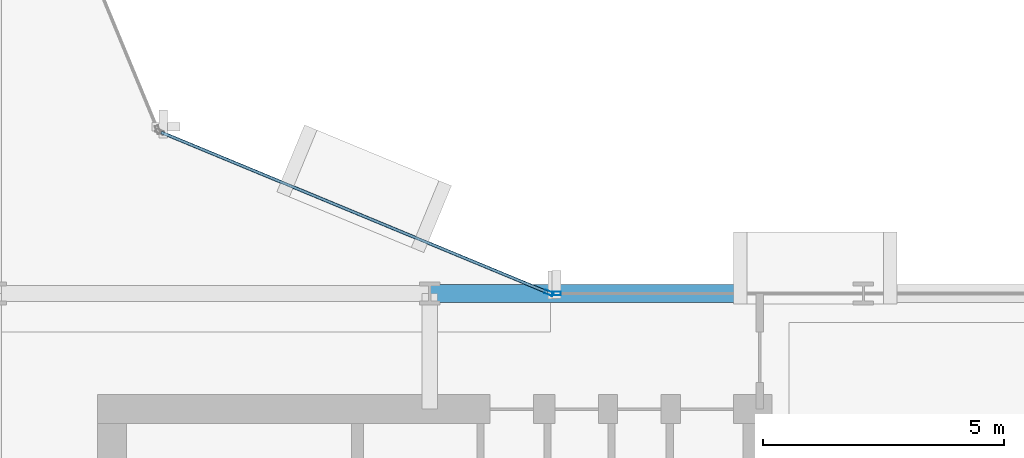
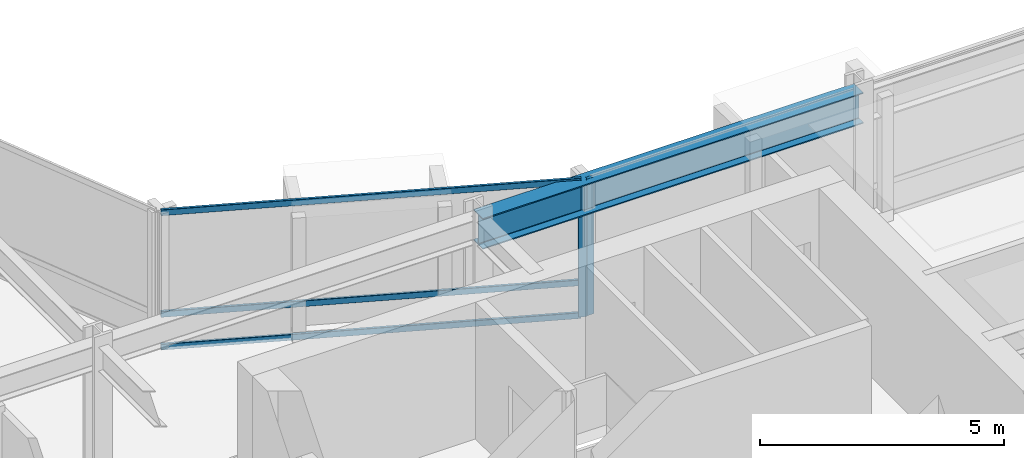
# One storey, part 15 of 34: 5 members, 1 beam, 2 elements without a shape of their own.
"""IFC4 building model written with IfcOpenShell, lengths in metres."""

from ifc_helpers import new_model, si_unit, direction, frame, origin, origin_2d, place, context, subcontext, project, spatial, hollow_rectangle, i_section, extrude, material, layer, layer_set, material_profile, profile_set, type_object, element, aggregate, save


model = new_model("IFC4")

# Units and contexts
model_context = context("Model", 3, precision=1e-05, world=origin(), true_north=direction((0.0, 1.0)))
body_context = subcontext(model_context, "Body", "Model", "MODEL_VIEW")
ifc_project = project(units=[si_unit("LENGTHUNIT", "METRE"), si_unit("AREAUNIT", "SQUARE_METRE"), si_unit("VOLUMEUNIT", "CUBIC_METRE"), si_unit("PLANEANGLEUNIT", "RADIAN"), si_unit("MASSUNIT", "GRAM", prefix="KILO")], contexts=[model_context])

# Site, building, storey
site_placement = place(None, origin())
site = spatial("IfcSite", under=ifc_project, at=site_placement, CompositionType="ELEMENT")
building_placement = place(site_placement, origin())
building = spatial("IfcBuilding", under=site, at=building_placement, Name="Solvaryn Broadcast Tower", CompositionType="ELEMENT")
storey_placement = place(building_placement, frame((0.0, 0.0, 69.300048828125)))
storey = spatial("IfcBuildingStorey", under=building, at=storey_placement, Name="L16", CompositionType="ELEMENT", Elevation=69.300048828125)

# Beam
ifc_material_1 = material(Name="Steel ASTM A992 Grade 50", Category="steel")
ifc_material_profile_1 = material_profile(ifc_material_1, i_section(OverallWidth=0.381103515625, OverallDepth=0.77294921875, WebThickness=0.0166015625, FlangeThickness=0.027099609375, FilletRadius=0.01806640625, at=origin_2d()))
ifc_profile_set_1 = profile_set([ifc_material_profile_1], Name="Steel ASTM A992 Grade 50")
beam_type = type_object("IfcBeamType", Name="BM-SP1-W30X173", PredefinedType="USERDEFINED", material=ifc_profile_set_1)
beam_placement = place(storey_placement, frame((36.0, 27.0, 3.033447265625), z_axis=(1.0, 0.0, 0.0), x_axis=(0.0, 1.0, 0.0)))
element("IfcBeam", 1, at=beam_placement, inside=storey, type_object=beam_type, Name="L16 Spandrel Beam X (36-45 @ Y=27)", ObjectType="SPANDREL", PredefinedType="USERDEFINED", context=body_context, shape_type="SweptSolid", body=[
    extrude(i_section(OverallWidth=0.381103515625, OverallDepth=0.77294921875, WebThickness=0.0166015625, FlangeThickness=0.027099609375, FilletRadius=0.01806640625, at=origin_2d()), origin(), (0.0, 0.0, 1.0), 9.0),
])

# Curtain wall, member
ifc_material_2 = material(Name="Aluminium and Terracotta Unitised Curtain Wall", Category="masonry")
ifc_layer = layer(ifc_material_2, 0.199951171875)
ifc_layer_set = layer_set([ifc_layer], Name="CW-SYS2-LOWMID")
curtain_wall_type = type_object("IfcCurtainWallType", Name="CW-SYS2-LOWMID", PredefinedType="NOTDEFINED", material=ifc_layer_set)
curtain_wall_1_placement = place(storey_placement, origin())
curtain_wall_1 = element("IfcCurtainWall", 2, at=curtain_wall_1_placement, inside=storey, type_object=curtain_wall_type, Name="L16 Curtain Wall CN1", PredefinedType="NOTDEFINED")
ifc_material_3 = material(Name="Anodised Aluminium 6063-T6", Category="aluminium")
ifc_material_profile_2 = material_profile(ifc_material_3, hollow_rectangle(XDim=0.074951171875, YDim=0.179931640625, WallThickness=0.00390625, InnerFilletRadius=0.00390625, OuterFilletRadius=0.008056640625, at=origin_2d()))
ifc_profile_set_2 = profile_set([ifc_material_profile_2], Name="Anodised Aluminium 6063-T6")
member_type_1 = type_object("IfcMemberType", Name="CW-MUL-180", PredefinedType="MULLION", material=ifc_profile_set_2)
member_1_placement = place(storey_placement, frame((38.47216796875, 27.011474609375, 0.0), z_axis=(0.0, 0.0, 1.0), x_axis=(-0.382646127145, -0.923894983957, 0.0)))
member_1 = element("IfcMember", 3, at=member_1_placement, type_object=member_type_1, Name="CWS2 mullion 1", PredefinedType="MULLION", context=body_context, shape_type="SweptSolid", body=[
    extrude(hollow_rectangle(XDim=0.074951171875, YDim=0.179931640625, WallThickness=0.00390625, InnerFilletRadius=0.00390625, OuterFilletRadius=0.008056640625, at=origin_2d()), origin(), (0.0, 0.0, 1.0), 3.419921875),
])

curtain_wall_2_placement = place(storey_placement, origin())
curtain_wall_2 = element("IfcCurtainWall", 4, at=curtain_wall_2_placement, inside=storey, type_object=curtain_wall_type, Name="L16 Curtain Wall IH", PredefinedType="NOTDEFINED")
member_2_placement = place(storey_placement, frame((38.6298828125, 27.0, 0.0), z_axis=(0.0, 0.0, 1.0), x_axis=(0.0, 1.0, 0.0)))
member_2 = element("IfcMember", 5, at=member_2_placement, type_object=member_type_1, Name="CWS2 mullion 1", PredefinedType="MULLION", context=body_context, shape_type="SweptSolid", body=[
    extrude(hollow_rectangle(XDim=0.074951171875, YDim=0.179931640625, WallThickness=0.00390625, InnerFilletRadius=0.00390625, OuterFilletRadius=0.008056640625, at=origin_2d()), origin(), (0.0, 0.0, 1.0), 3.419921875),
])
aggregate(curtain_wall_2, [member_2])

# Member
ifc_material_4 = material(Name="Anodised Aluminium 6063-T6", Category="aluminium")
ifc_material_profile_3 = material_profile(ifc_material_4, hollow_rectangle(XDim=0.06494140625, YDim=0.14990234375, WallThickness=0.00390625, InnerFilletRadius=0.00390625, OuterFilletRadius=0.008056640625, at=origin_2d()))
ifc_profile_set_3 = profile_set([ifc_material_profile_3], Name="Anodised Aluminium 6063-T6")
member_type_2 = type_object("IfcMemberType", Name="CW-TRN-150", PredefinedType="USERDEFINED", material=ifc_profile_set_3)
member_3_placement = place(storey_placement, frame((38.444580078125, 27.02294921875, 0.030029296875), z_axis=(-0.923899282177, 0.382635748975, 0.0), x_axis=(-0.382635748975, -0.923899282177, 0.0)))
member_3 = element("IfcMember", 6, at=member_3_placement, type_object=member_type_2, Name="CWS2 transom 1.1", ObjectType="TRANSOM", PredefinedType="USERDEFINED", context=body_context, shape_type="SweptSolid", body=[
    extrude(hollow_rectangle(XDim=0.06494140625, YDim=0.14990234375, WallThickness=0.00390625, InnerFilletRadius=0.00390625, OuterFilletRadius=0.008056640625, at=origin_2d()), origin(), (0.0, 0.0, 1.0), 8.681884765625),
])

member_4_placement = place(storey_placement, frame((38.444580078125, 27.02294921875, 0.849853515625), z_axis=(-0.923899282177, 0.382635748975, 0.0), x_axis=(-0.382635748975, -0.923899282177, 0.0)))
member_4 = element("IfcMember", 7, at=member_4_placement, type_object=member_type_2, Name="CWS2 transom 1.2", ObjectType="TRANSOM", PredefinedType="USERDEFINED", context=body_context, shape_type="SweptSolid", body=[
    extrude(hollow_rectangle(XDim=0.06494140625, YDim=0.14990234375, WallThickness=0.00390625, InnerFilletRadius=0.00390625, OuterFilletRadius=0.008056640625, at=origin_2d()), origin(), (0.0, 0.0, 1.0), 8.681884765625),
])

member_5_placement = place(storey_placement, frame((38.444580078125, 27.02294921875, 3.389892578125), z_axis=(-0.923899282177, 0.382635748975, 0.0), x_axis=(-0.382635748975, -0.923899282177, 0.0)))
member_5 = element("IfcMember", 8, at=member_5_placement, type_object=member_type_2, Name="CWS2 transom 1.3", ObjectType="TRANSOM", PredefinedType="USERDEFINED", context=body_context, shape_type="SweptSolid", body=[
    extrude(hollow_rectangle(XDim=0.06494140625, YDim=0.14990234375, WallThickness=0.00390625, InnerFilletRadius=0.00390625, OuterFilletRadius=0.008056640625, at=origin_2d()), origin(), (0.0, 0.0, 1.0), 8.681884765625),
])

aggregate(curtain_wall_1, [member_1, member_3, member_4, member_5])

save(model, "model.ifc")
